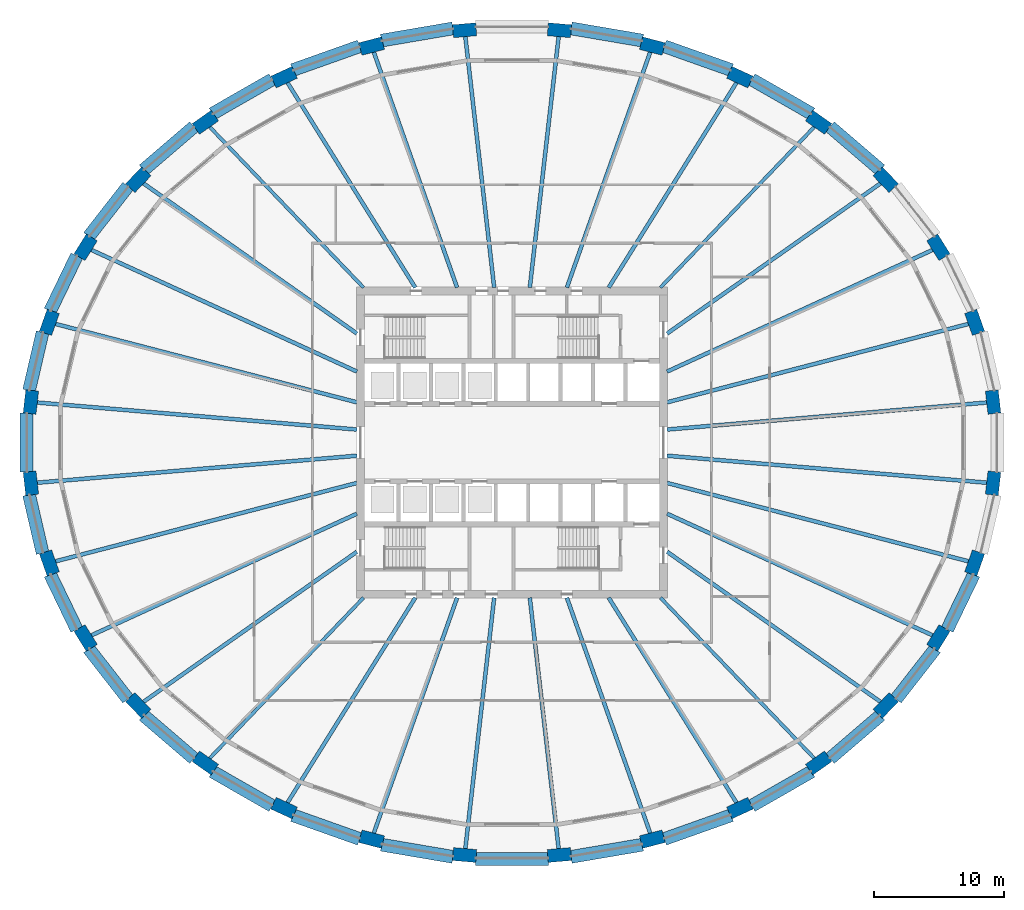
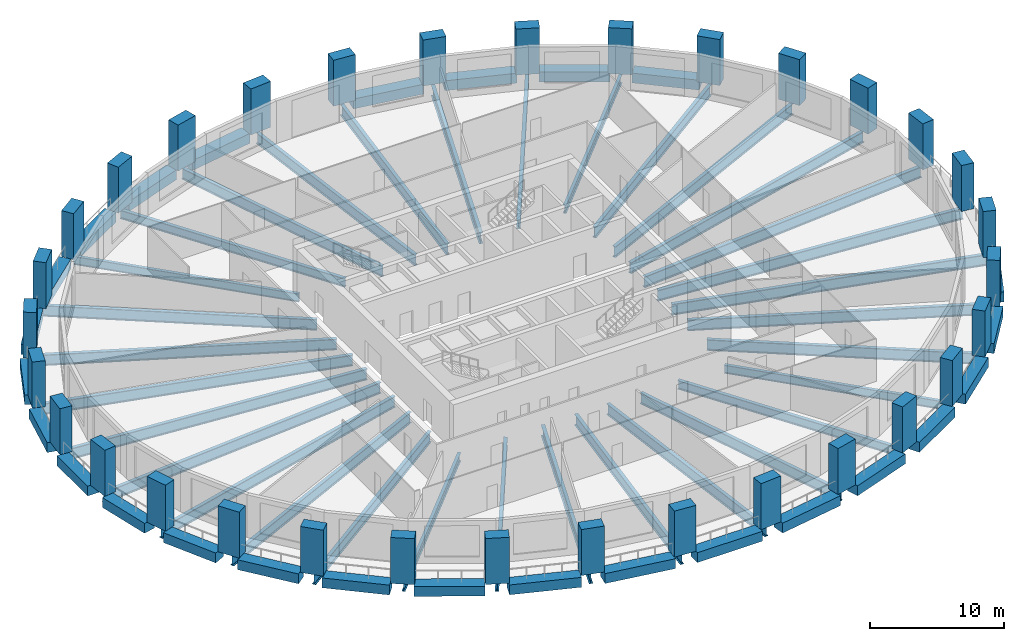
# One storey, part 1 of 11: 58 beams, 32 columns.
"""IFC4 building model written with IfcOpenShell, lengths in metres."""

from ifc_helpers import new_model, si_unit, direction, frame, origin, origin_2d, place, context, subcontext, project, spatial, rectangle, i_section, extrude, material, material_profile, profile_set, type_object, element, save


model = new_model("IFC4")

# Units and contexts
model_context = context("Model", 3, precision=1e-05, world=origin(), true_north=direction((0.0, 1.0)))
body_context = subcontext(model_context, "Body", "Model", "MODEL_VIEW")
ifc_project = project(units=[si_unit("LENGTHUNIT", "METRE"), si_unit("AREAUNIT", "SQUARE_METRE"), si_unit("VOLUMEUNIT", "CUBIC_METRE"), si_unit("PLANEANGLEUNIT", "RADIAN"), si_unit("MASSUNIT", "GRAM", prefix="KILO")], contexts=[model_context])

# Site, building, storey
site_placement = place(None, origin())
site = spatial("IfcSite", under=ifc_project, at=site_placement, CompositionType="ELEMENT")
building_placement = place(site_placement, origin())
building = spatial("IfcBuilding", under=site, at=building_placement, Name="Halqa Exchange Tower", CompositionType="ELEMENT")
storey_placement = place(building_placement, frame((0.0, 0.0, 44.5)))
storey = spatial("IfcBuildingStorey", under=building, at=storey_placement, Name="L09", CompositionType="ELEMENT", Elevation=44.5)

# Columns
ifc_material_1 = material(Name="Concrete C80/95", Category="concrete")
ifc_material_profile_1 = material_profile(ifc_material_1, rectangle(XDim=1.800048828125, YDim=1.0, at=origin_2d()), Name="1800 x 1000")
ifc_profile_set_1 = profile_set([ifc_material_profile_1], Name="Concrete C80/95")
column_type = type_object("IfcColumnType", Name="RC ring column 1800 x 1000 C80/95", PredefinedType="COLUMN", material=ifc_profile_set_1)
for number, where, z_axis, x_axis, name in (
    (1, (37.135986328125, 3.135009765625, 0.0), (0.0, 0.0, 1.0), (-0.114153454138, 0.993463129114, 0.0), "Ring column 1"),
    (2, (35.708984375, 9.284912109375, 0.0), (0.0, 0.0, 1.0), (-0.33362752424, 0.942704977747, 0.0), "Ring column 2"),
    (3, (32.90966796875, 15.07763671875, 0.0), (0.0, 0.0, 1.0), (-0.529143458197, 0.848532380435, 0.0), "Ring column 3"),
    (4, (28.845458984375, 20.291015625, 0.0), (0.0, 0.0, 1.0), (-0.691576091297, 0.722303613411, 0.0), "Ring column 4"),
    (5, (23.6728515625, 24.724609375, 0.0), (0.0, 0.0, 1.0), (-0.817908788019, 0.57534790734, 0.0), "Ring column 5"),
    (6, (17.590576171875, 28.208251953125, 0.0), (0.0, 0.0, 1.0), (-0.909127095833, 0.416518815449, 0.0), "Ring column 6"),
    (7, (10.832275390625, 30.607666015625, 0.0), (0.0, 0.0, 1.0), (-0.967819942774, 0.251643713153, 0.0), "Ring column 7"),
    (8, (3.65771484375, 31.8310546875, 0.0), (0.0, 0.0, 1.0), (-0.996455225341, 0.084124811391, 0.0), "Ring column 8"),
    (9, (-3.65771484375, 31.8310546875, 0.0), (0.0, 0.0, 1.0), (-0.996455225341, -0.084124811391, 0.0), "Ring column 9"),
    (10, (-10.832275390625, 30.607666015625, 0.0), (0.0, 0.0, 1.0), (-0.967819942774, -0.251643713153, 0.0), "Ring column 10"),
    (11, (-17.590576171875, 28.208251953125, 0.0), (0.0, 0.0, 1.0), (-0.909127095833, -0.416518815449, 0.0), "Ring column 11"),
    (12, (-23.6728515625, 24.724609375, 0.0), (0.0, 0.0, 1.0), (-0.817908788019, -0.57534790734, 0.0), "Ring column 12"),
    (13, (-28.845458984375, 20.291015625, 0.0), (0.0, 0.0, 1.0), (-0.691576091297, -0.722303613411, 0.0), "Ring column 13"),
    (14, (-32.90966796875, 15.07763671875, 0.0), (0.0, 0.0, 1.0), (-0.529143458197, -0.848532380435, 0.0), "Ring column 14"),
    (15, (-35.708984375, 9.284912109375, 0.0), (0.0, 0.0, 1.0), (-0.33362752424, -0.942704977747, 0.0), "Ring column 15"),
    (16, (-37.135986328125, 3.135009765625, 0.0), (0.0, 0.0, 1.0), (-0.114153454138, -0.993463129114, 0.0), "Ring column 16"),
    (17, (-37.135986328125, -3.135009765625, 0.0), (0.0, 0.0, 1.0), (0.114153454138, -0.993463129114, 0.0), "Ring column 17"),
    (18, (-35.708984375, -9.284912109375, 0.0), (0.0, 0.0, 1.0), (0.33362752424, -0.942704977747, 0.0), "Ring column 18"),
    (19, (-32.90966796875, -15.07763671875, 0.0), (0.0, 0.0, 1.0), (0.529143458197, -0.848532380435, 0.0), "Ring column 19"),
    (20, (-28.845458984375, -20.291015625, 0.0), (0.0, 0.0, 1.0), (0.691576091297, -0.722303613411, 0.0), "Ring column 20"),
    (21, (-23.6728515625, -24.724609375, 0.0), (0.0, 0.0, 1.0), (0.817908788019, -0.57534790734, 0.0), "Ring column 21"),
    (22, (-17.590576171875, -28.208251953125, 0.0), (0.0, 0.0, 1.0), (0.909127095833, -0.416518815449, 0.0), "Ring column 22"),
    (23, (-10.832275390625, -30.607666015625, 0.0), (0.0, 0.0, 1.0), (0.967819942774, -0.251643713153, 0.0), "Ring column 23"),
    (24, (-3.65771484375, -31.8310546875, 0.0), (0.0, 0.0, 1.0), (0.996455225341, -0.084124811391, 0.0), "Ring column 24"),
    (25, (3.65771484375, -31.8310546875, 0.0), (0.0, 0.0, 1.0), (0.996455225341, 0.084124811391, 0.0), "Ring column 25"),
    (26, (10.832275390625, -30.607666015625, 0.0), (0.0, 0.0, 1.0), (0.967819942774, 0.251643713153, 0.0), "Ring column 26"),
    (27, (17.590576171875, -28.208251953125, 0.0), (0.0, 0.0, 1.0), (0.909127095833, 0.416518815449, 0.0), "Ring column 27"),
    (28, (23.6728515625, -24.724609375, 0.0), (0.0, 0.0, 1.0), (0.817908788019, 0.57534790734, 0.0), "Ring column 28"),
    (29, (28.845458984375, -20.291015625, 0.0), (0.0, 0.0, 1.0), (0.691576091297, 0.722303613411, 0.0), "Ring column 29"),
    (30, (32.90966796875, -15.07763671875, 0.0), (0.0, 0.0, 1.0), (0.529143458197, 0.848532380435, 0.0), "Ring column 30"),
    (31, (35.708984375, -9.284912109375, 0.0), (0.0, 0.0, 1.0), (0.33362752424, 0.942704977747, 0.0), "Ring column 31"),
    (32, (37.135986328125, -3.135009765625, 0.0), (0.0, 0.0, 1.0), (0.114153454138, 0.993463129114, 0.0), "Ring column 32"),
):
    element("IfcColumn", number, at=place(storey_placement, frame(where, z_axis=z_axis, x_axis=x_axis)), inside=storey, type_object=column_type, Name=name, PredefinedType="COLUMN", context=body_context, shape_type="SweptSolid", body=[
        extrude(rectangle(XDim=1.800048828125, YDim=1.0, at=origin_2d()), origin(), (0.0, 0.0, 1.0), 4.199951171875),
    ])

# Beams
ifc_material_2 = material(Name="Steel S355", Category="steel")
ifc_material_profile_2 = material_profile(ifc_material_2, i_section(OverallWidth=0.300048828125, OverallDepth=0.989990234375, WebThickness=0.0166015625, FlangeThickness=0.031005859375, FilletRadius=0.030029296875, at=origin_2d()), Name="HEA 1000")
ifc_profile_set_2 = profile_set([ifc_material_profile_2], Name="Steel S355")
beam_type_1 = type_object("IfcBeamType", Name="Floor beam HEA 1000", PredefinedType="BEAM", material=ifc_profile_set_2)
beam_1_placement = place(storey_placement, frame((11.972412109375, 5.485107421875, -0.794921875), z_axis=(0.909127504728, 0.416517922961, 0.0), x_axis=(-0.416517922961, 0.909127504728, 0.0)))
element("IfcBeam", 33, at=beam_1_placement, inside=storey, type_object=beam_type_1, Name="Radial beam 3", PredefinedType="BEAM", context=body_context, shape_type="SweptSolid", body=[
    extrude(i_section(OverallWidth=0.300048828125, OverallDepth=0.989990234375, WebThickness=0.0166015625, FlangeThickness=0.031005859375, FilletRadius=0.030029296875, at=origin_2d()), origin(), (0.0, 0.0, 1.0), 22.98583984375),
])
beam_2_placement = place(storey_placement, frame((11.972412109375, 8.421875, -0.794921875), z_axis=(0.817909814648, 0.575346447892, 0.0), x_axis=(-0.575346447892, 0.817909814648, 0.0)))
element("IfcBeam", 34, at=beam_2_placement, inside=storey, type_object=beam_type_1, Name="Radial beam 4", PredefinedType="BEAM", context=body_context, shape_type="SweptSolid", body=[
    extrude(i_section(OverallWidth=0.300048828125, OverallDepth=0.989990234375, WebThickness=0.0166015625, FlangeThickness=0.031005859375, FilletRadius=0.030029296875, at=origin_2d()), origin(), (0.0, 0.0, 1.0), 20.576904296875),
])
beam_3_placement = place(storey_placement, frame((4.23681640625, 11.971923828125, -0.794921875), z_axis=(0.333629334542, 0.942704337071, 0.0), x_axis=(-0.942704337071, 0.333629334542, 0.0)))
element("IfcBeam", 35, at=beam_3_placement, inside=storey, type_object=beam_type_1, Name="Radial beam 7", PredefinedType="BEAM", context=body_context, shape_type="SweptSolid", body=[
    extrude(i_section(OverallWidth=0.300048828125, OverallDepth=0.989990234375, WebThickness=0.0166015625, FlangeThickness=0.031005859375, FilletRadius=0.030029296875, at=origin_2d()), origin(), (0.0, 0.0, 1.0), 19.69189453125),
])
for number, where, z_axis, x_axis, name in (
    (36, (1.375732421875, 11.972900390625, -0.794921875), (0.114158678634, 0.993462528781, 0.0), (-0.993462528781, 0.114158678634, 0.0), "Radial beam 8"),
    (37, (-1.375732421875, 11.972900390625, -0.794921875), (-0.114158678634, 0.993462528781, 0.0), (-0.993462528781, -0.114158678634, 0.0), "Radial beam 9"),
):
    element("IfcBeam", number, at=place(storey_placement, frame(where, z_axis=z_axis, x_axis=x_axis)), inside=storey, type_object=beam_type_1, Name=name, PredefinedType="BEAM", context=body_context, shape_type="SweptSolid", body=[
        extrude(i_section(OverallWidth=0.300048828125, OverallDepth=0.989990234375, WebThickness=0.0166015625, FlangeThickness=0.031005859375, FilletRadius=0.030029296875, at=origin_2d()), origin(), (0.0, 0.0, 1.0), 19.910400390625),
    ])
beam_4_placement = place(storey_placement, frame((-4.23681640625, 11.971923828125, -0.794921875), z_axis=(-0.333629334542, 0.942704337071, 0.0), x_axis=(-0.942704337071, -0.333629334542, 0.0)))
element("IfcBeam", 38, at=beam_4_placement, inside=storey, type_object=beam_type_1, Name="Radial beam 10", PredefinedType="BEAM", context=body_context, shape_type="SweptSolid", body=[
    extrude(i_section(OverallWidth=0.300048828125, OverallDepth=0.989990234375, WebThickness=0.0166015625, FlangeThickness=0.031005859375, FilletRadius=0.030029296875, at=origin_2d()), origin(), (0.0, 0.0, 1.0), 19.69189453125),
])
beam_5_placement = place(storey_placement, frame((-11.972412109375, 8.421875, -0.794921875), z_axis=(-0.817909814648, 0.575346447892, 0.0), x_axis=(-0.575346447892, -0.817909814648, 0.0)))
element("IfcBeam", 39, at=beam_5_placement, inside=storey, type_object=beam_type_1, Name="Radial beam 13", PredefinedType="BEAM", context=body_context, shape_type="SweptSolid", body=[
    extrude(i_section(OverallWidth=0.300048828125, OverallDepth=0.989990234375, WebThickness=0.0166015625, FlangeThickness=0.031005859375, FilletRadius=0.030029296875, at=origin_2d()), origin(), (0.0, 0.0, 1.0), 20.576904296875),
])
for number, where, z_axis, x_axis, name in (
    (40, (-11.972412109375, 5.485107421875, -0.794921875), (-0.909127504728, 0.416517922961, 0.0), (-0.416517922961, -0.909127504728, 0.0), "Radial beam 14"),
    (41, (-11.972412109375, -5.485107421875, -0.794921875), (-0.909127504728, -0.416517922961, 0.0), (0.416517922961, -0.909127504728, 0.0), "Radial beam 19"),
):
    element("IfcBeam", number, at=place(storey_placement, frame(where, z_axis=z_axis, x_axis=x_axis)), inside=storey, type_object=beam_type_1, Name=name, PredefinedType="BEAM", context=body_context, shape_type="SweptSolid", body=[
        extrude(i_section(OverallWidth=0.300048828125, OverallDepth=0.989990234375, WebThickness=0.0166015625, FlangeThickness=0.031005859375, FilletRadius=0.030029296875, at=origin_2d()), origin(), (0.0, 0.0, 1.0), 22.98583984375),
    ])
beam_6_placement = place(storey_placement, frame((-11.972412109375, -8.421875, -0.794921875), z_axis=(-0.817909814648, -0.575346447892, 0.0), x_axis=(0.575346447892, -0.817909814648, 0.0)))
element("IfcBeam", 42, at=beam_6_placement, inside=storey, type_object=beam_type_1, Name="Radial beam 20", PredefinedType="BEAM", context=body_context, shape_type="SweptSolid", body=[
    extrude(i_section(OverallWidth=0.300048828125, OverallDepth=0.989990234375, WebThickness=0.0166015625, FlangeThickness=0.031005859375, FilletRadius=0.030029296875, at=origin_2d()), origin(), (0.0, 0.0, 1.0), 20.576904296875),
])
beam_7_placement = place(storey_placement, frame((-4.23681640625, -11.971923828125, -0.794921875), z_axis=(-0.333629334542, -0.942704337071, 0.0), x_axis=(0.942704337071, -0.333629334542, 0.0)))
element("IfcBeam", 43, at=beam_7_placement, inside=storey, type_object=beam_type_1, Name="Radial beam 23", PredefinedType="BEAM", context=body_context, shape_type="SweptSolid", body=[
    extrude(i_section(OverallWidth=0.300048828125, OverallDepth=0.989990234375, WebThickness=0.0166015625, FlangeThickness=0.031005859375, FilletRadius=0.030029296875, at=origin_2d()), origin(), (0.0, 0.0, 1.0), 19.69189453125),
])
for number, where, z_axis, x_axis, name in (
    (44, (-1.375732421875, -11.972900390625, -0.794921875), (-0.114158678634, -0.993462528781, 0.0), (0.993462528781, -0.114158678634, 0.0), "Radial beam 24"),
    (45, (1.375732421875, -11.972900390625, -0.794921875), (0.114158678634, -0.993462528781, 0.0), (0.993462528781, 0.114158678634, 0.0), "Radial beam 25"),
):
    element("IfcBeam", number, at=place(storey_placement, frame(where, z_axis=z_axis, x_axis=x_axis)), inside=storey, type_object=beam_type_1, Name=name, PredefinedType="BEAM", context=body_context, shape_type="SweptSolid", body=[
        extrude(i_section(OverallWidth=0.300048828125, OverallDepth=0.989990234375, WebThickness=0.0166015625, FlangeThickness=0.031005859375, FilletRadius=0.030029296875, at=origin_2d()), origin(), (0.0, 0.0, 1.0), 19.910400390625),
    ])
beam_8_placement = place(storey_placement, frame((4.23681640625, -11.971923828125, -0.794921875), z_axis=(0.333629334542, -0.942704337071, 0.0), x_axis=(0.942704337071, 0.333629334542, 0.0)))
element("IfcBeam", 46, at=beam_8_placement, inside=storey, type_object=beam_type_1, Name="Radial beam 26", PredefinedType="BEAM", context=body_context, shape_type="SweptSolid", body=[
    extrude(i_section(OverallWidth=0.300048828125, OverallDepth=0.989990234375, WebThickness=0.0166015625, FlangeThickness=0.031005859375, FilletRadius=0.030029296875, at=origin_2d()), origin(), (0.0, 0.0, 1.0), 19.69189453125),
])
beam_9_placement = place(storey_placement, frame((11.972412109375, -8.421875, -0.794921875), z_axis=(0.817909814648, -0.575346447892, 0.0), x_axis=(0.575346447892, 0.817909814648, 0.0)))
element("IfcBeam", 47, at=beam_9_placement, inside=storey, type_object=beam_type_1, Name="Radial beam 29", PredefinedType="BEAM", context=body_context, shape_type="SweptSolid", body=[
    extrude(i_section(OverallWidth=0.300048828125, OverallDepth=0.989990234375, WebThickness=0.0166015625, FlangeThickness=0.031005859375, FilletRadius=0.030029296875, at=origin_2d()), origin(), (0.0, 0.0, 1.0), 20.576904296875),
])
beam_10_placement = place(storey_placement, frame((11.972412109375, -5.485107421875, -0.794921875), z_axis=(0.909127504728, -0.416517922961, 0.0), x_axis=(0.416517922961, 0.909127504728, 0.0)))
element("IfcBeam", 48, at=beam_10_placement, inside=storey, type_object=beam_type_1, Name="Radial beam 30", PredefinedType="BEAM", context=body_context, shape_type="SweptSolid", body=[
    extrude(i_section(OverallWidth=0.300048828125, OverallDepth=0.989990234375, WebThickness=0.0166015625, FlangeThickness=0.031005859375, FilletRadius=0.030029296875, at=origin_2d()), origin(), (0.0, 0.0, 1.0), 22.98583984375),
])
ifc_material_profile_3 = material_profile(ifc_material_2, i_section(OverallWidth=0.300048828125, OverallDepth=0.7900390625, WebThickness=0.014892578125, FlangeThickness=0.028076171875, FilletRadius=0.030029296875, at=origin_2d()), Name="HEA 800")
ifc_profile_set_3 = profile_set([ifc_material_profile_3], Name="Steel S355")
beam_type_2 = type_object("IfcBeamType", Name="Floor beam HEA 800", PredefinedType="BEAM", material=ifc_profile_set_3)
for number, where, z_axis, x_axis, name in (
    (49, (7.46533203125, 11.971435546875, -0.695068359375), (0.529139911738, 0.848534591992, 0.0), (-0.848534591992, 0.529139911738, 0.0), "Radial beam 6"),
    (50, (-7.46533203125, 11.971435546875, -0.695068359375), (-0.529139911738, 0.848534591992, 0.0), (-0.848534591992, -0.529139911738, 0.0), "Radial beam 11"),
    (51, (-7.46533203125, -11.971435546875, -0.695068359375), (-0.529139911738, -0.848534591992, 0.0), (0.848534591992, -0.529139911738, 0.0), "Radial beam 22"),
    (52, (7.46533203125, -11.971435546875, -0.695068359375), (0.529139911738, -0.848534591992, 0.0), (0.848534591992, 0.529139911738, 0.0), "Radial beam 27"),
):
    element("IfcBeam", number, at=place(storey_placement, frame(where, z_axis=z_axis, x_axis=x_axis)), inside=storey, type_object=beam_type_2, Name=name, PredefinedType="BEAM", context=body_context, shape_type="SweptSolid", body=[
        extrude(i_section(OverallWidth=0.300048828125, OverallDepth=0.7900390625, WebThickness=0.014892578125, FlangeThickness=0.028076171875, FilletRadius=0.030029296875, at=origin_2d()), origin(), (0.0, 0.0, 1.0), 19.063720703125),
    ])
ifc_material_profile_4 = material_profile(ifc_material_2, i_section(OverallWidth=0.302001953125, OverallDepth=1.008056640625, WebThickness=0.02099609375, FlangeThickness=0.0400390625, FilletRadius=0.030029296875, at=origin_2d()), Name="HEM 1000")
ifc_profile_set_4 = profile_set([ifc_material_profile_4], Name="Steel S355")
beam_type_3 = type_object("IfcBeamType", Name="Floor beam HEM 1000", PredefinedType="BEAM", material=ifc_profile_set_4)
beam_11_placement = place(storey_placement, frame((11.972412109375, 1.0107421875, -0.803955078125), z_axis=(0.996455391934, 0.084122838075, 0.0), x_axis=(-0.084122838075, 0.996455391934, 0.0)))
element("IfcBeam", 53, at=beam_11_placement, inside=storey, type_object=beam_type_3, Name="Radial beam 1", PredefinedType="BEAM", context=body_context, shape_type="SweptSolid", body=[
    extrude(i_section(OverallWidth=0.302001953125, OverallDepth=1.008056640625, WebThickness=0.02099609375, FlangeThickness=0.0400390625, FilletRadius=0.030029296875, at=origin_2d()), origin(), (0.0, 0.0, 1.0), 25.222900390625),
])
for number, where, z_axis, x_axis, name in (
    (54, (11.971435546875, 3.11279296875, -0.803955078125), (0.967819156454, 0.251646737313, 0.0), (-0.251646737313, 0.967819156454, 0.0), "Radial beam 2"),
    (55, (-11.971435546875, 3.11279296875, -0.803955078125), (-0.967819156454, 0.251646737313, 0.0), (-0.251646737313, -0.967819156454, 0.0), "Radial beam 15"),
):
    element("IfcBeam", number, at=place(storey_placement, frame(where, z_axis=z_axis, x_axis=x_axis)), inside=storey, type_object=beam_type_3, Name=name, PredefinedType="BEAM", context=body_context, shape_type="SweptSolid", body=[
        extrude(i_section(OverallWidth=0.302001953125, OverallDepth=1.008056640625, WebThickness=0.02099609375, FlangeThickness=0.0400390625, FilletRadius=0.030029296875, at=origin_2d()), origin(), (0.0, 0.0, 1.0), 24.490966796875),
    ])
for number, where, z_axis, x_axis, name in (
    (56, (-11.972412109375, 1.0107421875, -0.803955078125), (-0.996455391934, 0.084122838075, 0.0), (-0.084122838075, -0.996455391934, 0.0), "Radial beam 16"),
    (57, (-11.972412109375, -1.0107421875, -0.803955078125), (-0.996455391934, -0.084122838075, 0.0), (0.084122838075, -0.996455391934, 0.0), "Radial beam 17"),
):
    element("IfcBeam", number, at=place(storey_placement, frame(where, z_axis=z_axis, x_axis=x_axis)), inside=storey, type_object=beam_type_3, Name=name, PredefinedType="BEAM", context=body_context, shape_type="SweptSolid", body=[
        extrude(i_section(OverallWidth=0.302001953125, OverallDepth=1.008056640625, WebThickness=0.02099609375, FlangeThickness=0.0400390625, FilletRadius=0.030029296875, at=origin_2d()), origin(), (0.0, 0.0, 1.0), 25.222900390625),
    ])
for number, where, z_axis, x_axis, name in (
    (58, (-11.971435546875, -3.11279296875, -0.803955078125), (-0.967819156454, -0.251646737313, 0.0), (0.251646737313, -0.967819156454, 0.0), "Radial beam 18"),
    (59, (11.971435546875, -3.11279296875, -0.803955078125), (0.967819156454, -0.251646737313, 0.0), (0.251646737313, 0.967819156454, 0.0), "Radial beam 31"),
):
    element("IfcBeam", number, at=place(storey_placement, frame(where, z_axis=z_axis, x_axis=x_axis)), inside=storey, type_object=beam_type_3, Name=name, PredefinedType="BEAM", context=body_context, shape_type="SweptSolid", body=[
        extrude(i_section(OverallWidth=0.302001953125, OverallDepth=1.008056640625, WebThickness=0.02099609375, FlangeThickness=0.0400390625, FilletRadius=0.030029296875, at=origin_2d()), origin(), (0.0, 0.0, 1.0), 24.490966796875),
    ])
beam_12_placement = place(storey_placement, frame((11.972412109375, -1.0107421875, -0.803955078125), z_axis=(0.996455391934, -0.084122838075, 0.0), x_axis=(0.084122838075, 0.996455391934, 0.0)))
element("IfcBeam", 60, at=beam_12_placement, inside=storey, type_object=beam_type_3, Name="Radial beam 32", PredefinedType="BEAM", context=body_context, shape_type="SweptSolid", body=[
    extrude(i_section(OverallWidth=0.302001953125, OverallDepth=1.008056640625, WebThickness=0.02099609375, FlangeThickness=0.0400390625, FilletRadius=0.030029296875, at=origin_2d()), origin(), (0.0, 0.0, 1.0), 25.222900390625),
])
ifc_material_profile_5 = material_profile(ifc_material_2, i_section(OverallWidth=0.264892578125, OverallDepth=0.7529296875, WebThickness=0.01318359375, FlangeThickness=0.01708984375, FilletRadius=0.01708984375, at=origin_2d()), Name="IPE 750x147")
ifc_profile_set_5 = profile_set([ifc_material_profile_5], Name="Steel S355")
beam_type_4 = type_object("IfcBeamType", Name="Floor beam IPE 750x147", PredefinedType="BEAM", material=ifc_profile_set_5)
for number, where, z_axis, x_axis, name in (
    (61, (11.462890625, 11.97216796875, -0.676513671875), (0.691577968949, 0.722301815631, 0.0), (-0.722301815631, 0.691577968949, 0.0), "Radial beam 5"),
    (62, (-11.462890625, 11.97216796875, -0.676513671875), (-0.691577968949, 0.722301815631, 0.0), (-0.722301815631, -0.691577968949, 0.0), "Radial beam 12"),
    (63, (-11.462890625, -11.97216796875, -0.676513671875), (-0.691577968949, -0.722301815631, 0.0), (0.722301815631, -0.691577968949, 0.0), "Radial beam 21"),
    (64, (11.462890625, -11.97216796875, -0.676513671875), (0.691577968949, -0.722301815631, 0.0), (0.722301815631, 0.691577968949, 0.0), "Radial beam 28"),
):
    element("IfcBeam", number, at=place(storey_placement, frame(where, z_axis=z_axis, x_axis=x_axis)), inside=storey, type_object=beam_type_4, Name=name, PredefinedType="BEAM", context=body_context, shape_type="SweptSolid", body=[
        extrude(i_section(OverallWidth=0.264892578125, OverallDepth=0.7529296875, WebThickness=0.01318359375, FlangeThickness=0.01708984375, FilletRadius=0.01708984375, at=origin_2d()), origin(), (0.0, 0.0, 1.0), 17.593017578125),
    ])
ifc_material_3 = material(Name="Concrete C60/75", Category="concrete")
ifc_material_profile_6 = material_profile(ifc_material_3, rectangle(XDim=1.0, YDim=0.89990234375, at=origin_2d()), Name="1000 x 900")
ifc_profile_set_6 = profile_set([ifc_material_profile_6], Name="Concrete C60/75")
beam_type_5 = type_object("IfcBeamType", Name="RC spandrel beam 1000 x 900 C60/75", PredefinedType="SPANDREL", material=ifc_profile_set_6)
beam_13_placement = place(storey_placement, frame((28.444580078125, 21.04736328125, -0.449951171875), z_axis=(-0.759249875312, 0.650799221602, 0.0), x_axis=(-0.650799221602, -0.759249875312, 0.0)))
element("IfcBeam", 65, at=beam_13_placement, inside=storey, type_object=beam_type_5, Name="Spandrel 4", PredefinedType="SPANDREL", context=body_context, shape_type="SweptSolid", body=[
    extrude(rectangle(XDim=1.0, YDim=0.89990234375, at=origin_2d()), origin(), (0.0, 0.0, 1.0), 5.123779296875),
])
beam_14_placement = place(storey_placement, frame((23.129638671875, 25.38671875, -0.449951171875), z_axis=(-0.867743060026, 0.497013059966, 0.0), x_axis=(-0.497013059966, -0.867743060026, 0.0)))
element("IfcBeam", 66, at=beam_14_placement, inside=storey, type_object=beam_type_5, Name="Spandrel 5", PredefinedType="SPANDREL", context=body_context, shape_type="SweptSolid", body=[
    extrude(rectangle(XDim=1.0, YDim=0.89990234375, at=origin_2d()), origin(), (0.0, 0.0, 1.0), 5.322265625),
])
beam_15_placement = place(storey_placement, frame((16.926025390625, 28.760009765625, -0.449951171875), z_axis=(-0.942362573301, 0.334593455468, 0.0), x_axis=(-0.334593455468, -0.942362573301, 0.0)))
element("IfcBeam", 67, at=beam_15_placement, inside=storey, type_object=beam_type_5, Name="Spandrel 6", PredefinedType="SPANDREL", context=body_context, shape_type="SweptSolid", body=[
    extrude(rectangle(XDim=1.0, YDim=0.89990234375, at=origin_2d()), origin(), (0.0, 0.0, 1.0), 5.485595703125),
])
for number, where, z_axis, x_axis, name in (
    (68, (10.06884765625, 31.035400390625, -0.449951171875), (-0.98577383032, 0.16807723063, 0.0), (-0.16807723063, -0.98577383032, 0.0), "Spandrel 7"),
    (69, (-4.55322265625, 31.975830078125, -0.449951171875), (-0.98577383032, -0.16807723063, 0.0), (0.16807723063, -0.98577383032, 0.0), "Spandrel 9"),
):
    element("IfcBeam", number, at=place(storey_placement, frame(where, z_axis=z_axis, x_axis=x_axis)), inside=storey, type_object=beam_type_5, Name=name, PredefinedType="SPANDREL", context=body_context, shape_type="SweptSolid", body=[
        extrude(rectangle(XDim=1.0, YDim=0.89990234375, at=origin_2d()), origin(), (0.0, 0.0, 1.0), 5.59521484375),
    ])
beam_16_placement = place(storey_placement, frame((-11.756591796875, 30.595458984375, -0.449951171875), z_axis=(-0.942362573301, -0.334593455468, 0.0), x_axis=(0.334593455468, -0.942362573301, 0.0)))
element("IfcBeam", 70, at=beam_16_placement, inside=storey, type_object=beam_type_5, Name="Spandrel 10", PredefinedType="SPANDREL", context=body_context, shape_type="SweptSolid", body=[
    extrude(rectangle(XDim=1.0, YDim=0.89990234375, at=origin_2d()), origin(), (0.0, 0.0, 1.0), 5.485595703125),
])
beam_17_placement = place(storey_placement, frame((-18.51123046875, 28.031982421875, -0.449951171875), z_axis=(-0.867743060026, -0.497013059966, 0.0), x_axis=(0.497013059966, -0.867743060026, 0.0)))
element("IfcBeam", 71, at=beam_17_placement, inside=storey, type_object=beam_type_5, Name="Spandrel 11", PredefinedType="SPANDREL", context=body_context, shape_type="SweptSolid", body=[
    extrude(rectangle(XDim=1.0, YDim=0.89990234375, at=origin_2d()), origin(), (0.0, 0.0, 1.0), 5.322265625),
])
beam_18_placement = place(storey_placement, frame((-24.554443359375, 24.3818359375, -0.449951171875), z_axis=(-0.759249875312, -0.650799221602, 0.0), x_axis=(0.650799221602, -0.759249875312, 0.0)))
element("IfcBeam", 72, at=beam_18_placement, inside=storey, type_object=beam_type_5, Name="Spandrel 12", PredefinedType="SPANDREL", context=body_context, shape_type="SweptSolid", body=[
    extrude(rectangle(XDim=1.0, YDim=0.89990234375, at=origin_2d()), origin(), (0.0, 0.0, 1.0), 5.123779296875),
])
beam_19_placement = place(storey_placement, frame((-29.648193359375, 19.78662109375, -0.449951171875), z_axis=(-0.614778716326, -0.788699644955, 0.0), x_axis=(0.788699644955, -0.614778716326, 0.0)))
element("IfcBeam", 73, at=beam_19_placement, inside=storey, type_object=beam_type_5, Name="Spandrel 13", PredefinedType="SPANDREL", context=body_context, shape_type="SweptSolid", body=[
    extrude(rectangle(XDim=1.0, YDim=0.89990234375, at=origin_2d()), origin(), (0.0, 0.0, 1.0), 4.918701171875),
])
beam_20_placement = place(storey_placement, frame((-33.59326171875, 14.42529296875, -0.449951171875), z_axis=(-0.435115053314, -0.900374861033, 0.0), x_axis=(0.900374861033, -0.435115053314, 0.0)))
element("IfcBeam", 74, at=beam_20_placement, inside=storey, type_object=beam_type_5, Name="Spandrel 14", PredefinedType="SPANDREL", context=body_context, shape_type="SweptSolid", body=[
    extrude(rectangle(XDim=1.0, YDim=0.89990234375, at=origin_2d()), origin(), (0.0, 0.0, 1.0), 4.73779296875),
])
beam_21_placement = place(storey_placement, frame((-36.23486328125, 8.514892578125, -0.449951171875), z_axis=(-0.226057098176, -0.974114053058, 0.0), x_axis=(0.974114053058, -0.226057098176, 0.0)))
element("IfcBeam", 75, at=beam_21_placement, inside=storey, type_object=beam_type_5, Name="Spandrel 15", PredefinedType="SPANDREL", context=body_context, shape_type="SweptSolid", body=[
    extrude(rectangle(XDim=1.0, YDim=0.89990234375, at=origin_2d()), origin(), (0.0, 0.0, 1.0), 4.61474609375),
])
beam_22_placement = place(storey_placement, frame((-37.4765625, 2.28515625, -0.449951171875), z_axis=(0.0, -1.0, 0.0), x_axis=(1.0, 0.0, 0.0)))
element("IfcBeam", 76, at=beam_22_placement, inside=storey, type_object=beam_type_5, Name="Spandrel 16", PredefinedType="SPANDREL", context=body_context, shape_type="SweptSolid", body=[
    extrude(rectangle(XDim=1.0, YDim=0.89990234375, at=origin_2d()), origin(), (0.0, 0.0, 1.0), 4.5703125),
])
beam_23_placement = place(storey_placement, frame((-37.278076171875, -4.01953125, -0.449951171875), z_axis=(0.226057098176, -0.974114053058, 0.0), x_axis=(0.974114053058, 0.226057098176, 0.0)))
element("IfcBeam", 77, at=beam_23_placement, inside=storey, type_object=beam_type_5, Name="Spandrel 17", PredefinedType="SPANDREL", context=body_context, shape_type="SweptSolid", body=[
    extrude(rectangle(XDim=1.0, YDim=0.89990234375, at=origin_2d()), origin(), (0.0, 0.0, 1.0), 4.61474609375),
])
beam_24_placement = place(storey_placement, frame((-35.65478515625, -10.159423828125, -0.449951171875), z_axis=(0.435115053314, -0.900374861033, 0.0), x_axis=(0.900374861033, 0.435115053314, 0.0)))
element("IfcBeam", 78, at=beam_24_placement, inside=storey, type_object=beam_type_5, Name="Spandrel 18", PredefinedType="SPANDREL", context=body_context, shape_type="SweptSolid", body=[
    extrude(rectangle(XDim=1.0, YDim=0.89990234375, at=origin_2d()), origin(), (0.0, 0.0, 1.0), 4.73779296875),
])
beam_25_placement = place(storey_placement, frame((-32.672119140625, -15.9072265625, -0.449951171875), z_axis=(0.614778716326, -0.788699644955, 0.0), x_axis=(0.788699644955, 0.614778716326, 0.0)))
element("IfcBeam", 79, at=beam_25_placement, inside=storey, type_object=beam_type_5, Name="Spandrel 19", PredefinedType="SPANDREL", context=body_context, shape_type="SweptSolid", body=[
    extrude(rectangle(XDim=1.0, YDim=0.89990234375, at=origin_2d()), origin(), (0.0, 0.0, 1.0), 4.918701171875),
])
beam_26_placement = place(storey_placement, frame((-28.444580078125, -21.04736328125, -0.449951171875), z_axis=(0.759249875312, -0.650799221602, 0.0), x_axis=(0.650799221602, 0.759249875312, 0.0)))
element("IfcBeam", 80, at=beam_26_placement, inside=storey, type_object=beam_type_5, Name="Spandrel 20", PredefinedType="SPANDREL", context=body_context, shape_type="SweptSolid", body=[
    extrude(rectangle(XDim=1.0, YDim=0.89990234375, at=origin_2d()), origin(), (0.0, 0.0, 1.0), 5.123779296875),
])
beam_27_placement = place(storey_placement, frame((-23.129638671875, -25.38671875, -0.449951171875), z_axis=(0.867743060026, -0.497013059966, 0.0), x_axis=(0.497013059966, 0.867743060026, 0.0)))
element("IfcBeam", 81, at=beam_27_placement, inside=storey, type_object=beam_type_5, Name="Spandrel 21", PredefinedType="SPANDREL", context=body_context, shape_type="SweptSolid", body=[
    extrude(rectangle(XDim=1.0, YDim=0.89990234375, at=origin_2d()), origin(), (0.0, 0.0, 1.0), 5.322265625),
])
beam_28_placement = place(storey_placement, frame((-16.926025390625, -28.760009765625, -0.449951171875), z_axis=(0.942362573301, -0.334593455468, 0.0), x_axis=(0.334593455468, 0.942362573301, 0.0)))
element("IfcBeam", 82, at=beam_28_placement, inside=storey, type_object=beam_type_5, Name="Spandrel 22", PredefinedType="SPANDREL", context=body_context, shape_type="SweptSolid", body=[
    extrude(rectangle(XDim=1.0, YDim=0.89990234375, at=origin_2d()), origin(), (0.0, 0.0, 1.0), 5.485595703125),
])
beam_29_placement = place(storey_placement, frame((-10.06884765625, -31.035400390625, -0.449951171875), z_axis=(0.98577383032, -0.16807723063, 0.0), x_axis=(0.16807723063, 0.98577383032, 0.0)))
element("IfcBeam", 83, at=beam_29_placement, inside=storey, type_object=beam_type_5, Name="Spandrel 23", PredefinedType="SPANDREL", context=body_context, shape_type="SweptSolid", body=[
    extrude(rectangle(XDim=1.0, YDim=0.89990234375, at=origin_2d()), origin(), (0.0, 0.0, 1.0), 5.59521484375),
])
beam_30_placement = place(storey_placement, frame((-2.816650390625, -32.122802734375, -0.449951171875), z_axis=(1.0, 0.0, 0.0), x_axis=(0.0, 1.0, 0.0)))
element("IfcBeam", 84, at=beam_30_placement, inside=storey, type_object=beam_type_5, Name="Spandrel 24", PredefinedType="SPANDREL", context=body_context, shape_type="SweptSolid", body=[
    extrude(rectangle(XDim=1.0, YDim=0.89990234375, at=origin_2d()), origin(), (0.0, 0.0, 1.0), 5.63330078125),
])
beam_31_placement = place(storey_placement, frame((4.55322265625, -31.975830078125, -0.449951171875), z_axis=(0.98577383032, 0.16807723063, 0.0), x_axis=(-0.16807723063, 0.98577383032, 0.0)))
element("IfcBeam", 85, at=beam_31_placement, inside=storey, type_object=beam_type_5, Name="Spandrel 25", PredefinedType="SPANDREL", context=body_context, shape_type="SweptSolid", body=[
    extrude(rectangle(XDim=1.0, YDim=0.89990234375, at=origin_2d()), origin(), (0.0, 0.0, 1.0), 5.59521484375),
])
beam_32_placement = place(storey_placement, frame((11.756591796875, -30.595458984375, -0.449951171875), z_axis=(0.942362573301, 0.334593455468, 0.0), x_axis=(-0.334593455468, 0.942362573301, 0.0)))
element("IfcBeam", 86, at=beam_32_placement, inside=storey, type_object=beam_type_5, Name="Spandrel 26", PredefinedType="SPANDREL", context=body_context, shape_type="SweptSolid", body=[
    extrude(rectangle(XDim=1.0, YDim=0.89990234375, at=origin_2d()), origin(), (0.0, 0.0, 1.0), 5.485595703125),
])
beam_33_placement = place(storey_placement, frame((18.51123046875, -28.031982421875, -0.449951171875), z_axis=(0.867743060026, 0.497013059966, 0.0), x_axis=(-0.497013059966, 0.867743060026, 0.0)))
element("IfcBeam", 87, at=beam_33_placement, inside=storey, type_object=beam_type_5, Name="Spandrel 27", PredefinedType="SPANDREL", context=body_context, shape_type="SweptSolid", body=[
    extrude(rectangle(XDim=1.0, YDim=0.89990234375, at=origin_2d()), origin(), (0.0, 0.0, 1.0), 5.322265625),
])
beam_34_placement = place(storey_placement, frame((24.554443359375, -24.3818359375, -0.449951171875), z_axis=(0.759249875312, 0.650799221602, 0.0), x_axis=(-0.650799221602, 0.759249875312, 0.0)))
element("IfcBeam", 88, at=beam_34_placement, inside=storey, type_object=beam_type_5, Name="Spandrel 28", PredefinedType="SPANDREL", context=body_context, shape_type="SweptSolid", body=[
    extrude(rectangle(XDim=1.0, YDim=0.89990234375, at=origin_2d()), origin(), (0.0, 0.0, 1.0), 5.123779296875),
])
beam_35_placement = place(storey_placement, frame((29.648193359375, -19.78662109375, -0.449951171875), z_axis=(0.614778716326, 0.788699644955, 0.0), x_axis=(-0.788699644955, 0.614778716326, 0.0)))
element("IfcBeam", 89, at=beam_35_placement, inside=storey, type_object=beam_type_5, Name="Spandrel 29", PredefinedType="SPANDREL", context=body_context, shape_type="SweptSolid", body=[
    extrude(rectangle(XDim=1.0, YDim=0.89990234375, at=origin_2d()), origin(), (0.0, 0.0, 1.0), 4.918701171875),
])
beam_36_placement = place(storey_placement, frame((33.59326171875, -14.42529296875, -0.449951171875), z_axis=(0.435115053314, 0.900374861033, 0.0), x_axis=(-0.900374861033, 0.435115053314, 0.0)))
element("IfcBeam", 90, at=beam_36_placement, inside=storey, type_object=beam_type_5, Name="Spandrel 30", PredefinedType="SPANDREL", context=body_context, shape_type="SweptSolid", body=[
    extrude(rectangle(XDim=1.0, YDim=0.89990234375, at=origin_2d()), origin(), (0.0, 0.0, 1.0), 4.73779296875),
])

save(model, "model.ifc")
